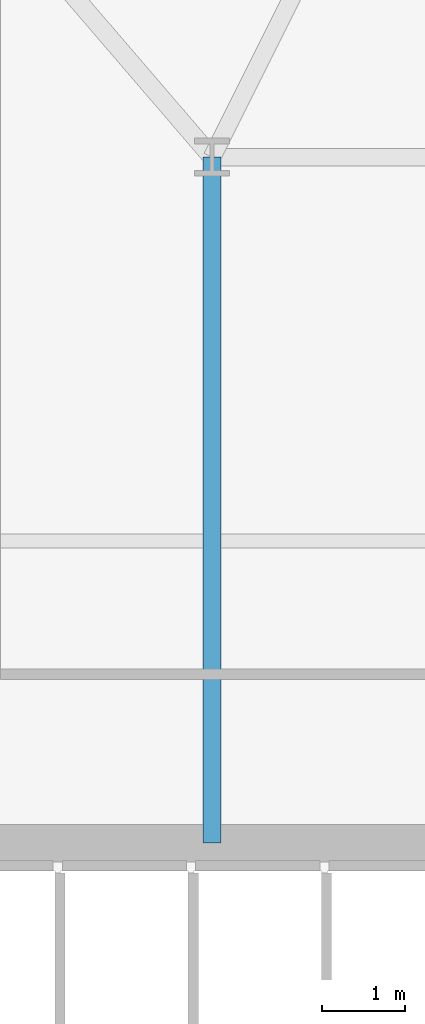
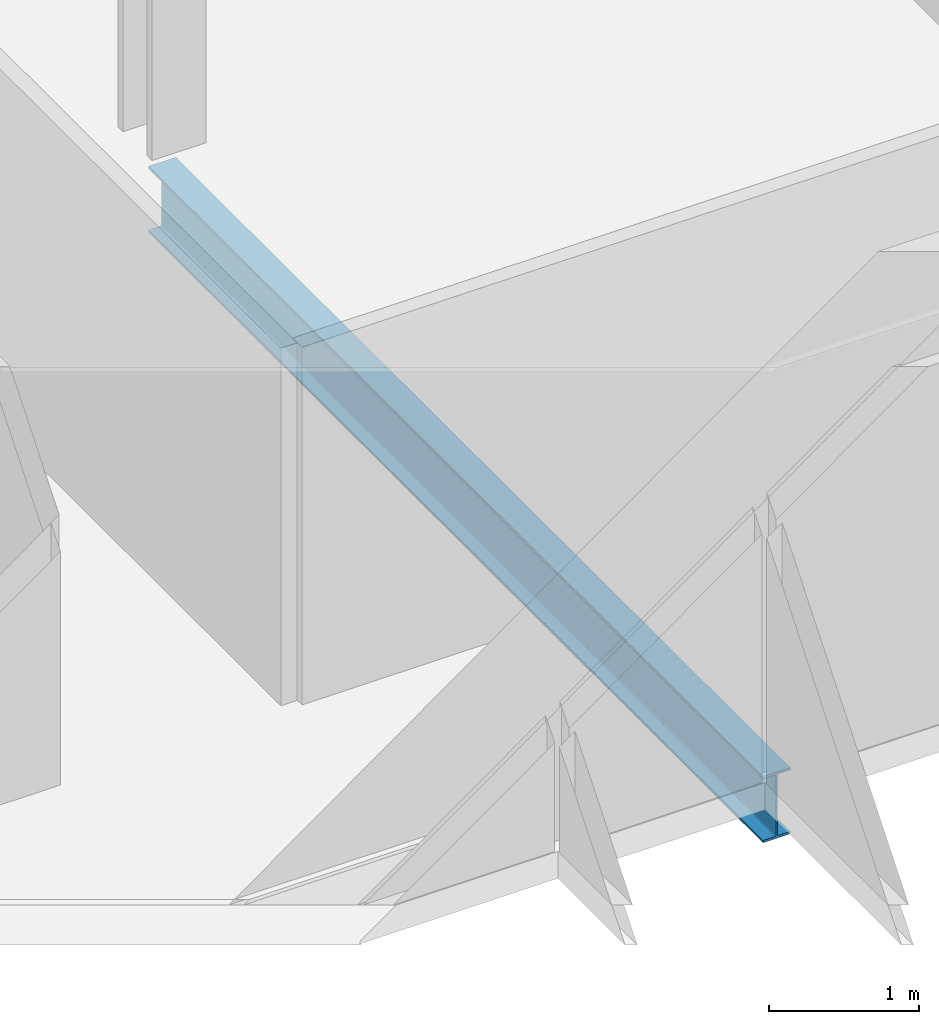
# One storey, part 6 of 32: 1 beam.
"""IFC4 building model written with IfcOpenShell, lengths in metres."""

from ifc_helpers import new_model, si_unit, direction, frame, origin, origin_2d, place, context, subcontext, project, spatial, i_section, extrude, material, material_profile, profile_set, type_object, element, save


model = new_model("IFC4")

# Units and contexts
model_context = context("Model", 3, precision=1e-05, world=origin(), true_north=direction((0.0, 1.0)))
body_context = subcontext(model_context, "Body", "Model", "MODEL_VIEW")
ifc_project = project(units=[si_unit("LENGTHUNIT", "METRE"), si_unit("AREAUNIT", "SQUARE_METRE"), si_unit("VOLUMEUNIT", "CUBIC_METRE"), si_unit("PLANEANGLEUNIT", "RADIAN"), si_unit("MASSUNIT", "GRAM", prefix="KILO")], contexts=[model_context])

# Site, building, storey
site_placement = place(None, origin())
site = spatial("IfcSite", under=ifc_project, at=site_placement, CompositionType="ELEMENT")
building_placement = place(site_placement, origin())
building = spatial("IfcBuilding", under=site, at=building_placement, Name="Ndaravel Arena Tower", CompositionType="ELEMENT")
storey_placement = place(building_placement, frame((0.0, 0.0, 70.199951171875)))
storey = spatial("IfcBuildingStorey", under=building, at=storey_placement, Name="L15", CompositionType="ELEMENT", Elevation=70.199951171875)

# Beam
ifc_material = material(Name="Steel S355", Category="steel")
ifc_material_profile = material_profile(ifc_material, i_section(OverallWidth=0.210693359375, OverallDepth=0.53955078125, WebThickness=0.01171875, FlangeThickness=0.018798828125, FilletRadius=0.0126953125, at=origin_2d()), Name="UB 533x210x109")
ifc_profile_set = profile_set([ifc_material_profile], Name="Steel S355")
beam_type = type_object("IfcBeamType", Name="BM-GIRD-UB533", PredefinedType="BEAM", material=ifc_profile_set)
beam_placement = place(storey_placement, frame((34.199951171875, 14.97998046875, -0.48974609375), z_axis=(0.0, 1.0, 0.0), x_axis=(-1.0, 0.0, 0.0)))
element("IfcBeam", 1, at=beam_placement, inside=storey, type_object=beam_type, Name="L15 Spine Link Girder SLG-01", PredefinedType="BEAM", context=body_context, shape_type="SweptSolid", body=[
    extrude(i_section(OverallWidth=0.210693359375, OverallDepth=0.53955078125, WebThickness=0.01171875, FlangeThickness=0.018798828125, FilletRadius=0.0126953125, at=origin_2d()), origin(), (0.0, 0.0, 1.0), 8.219970703125),
])

save(model, "model.ifc")
